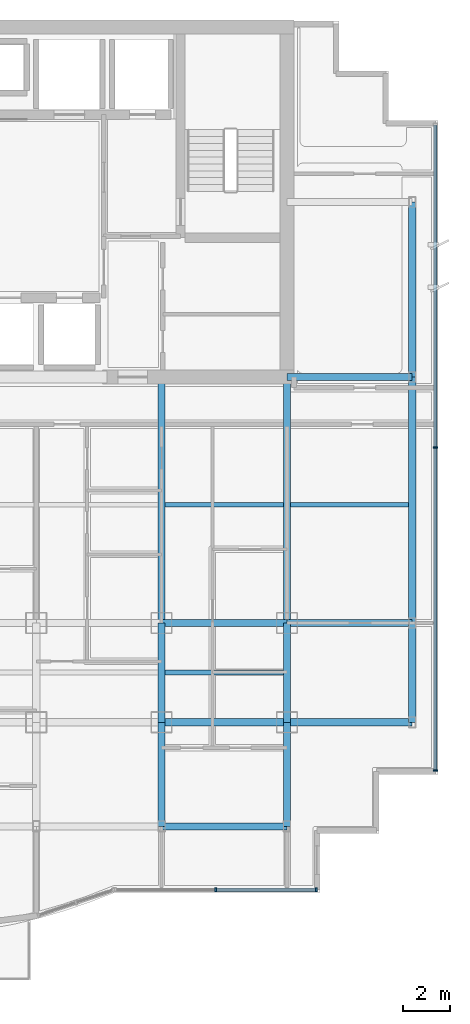
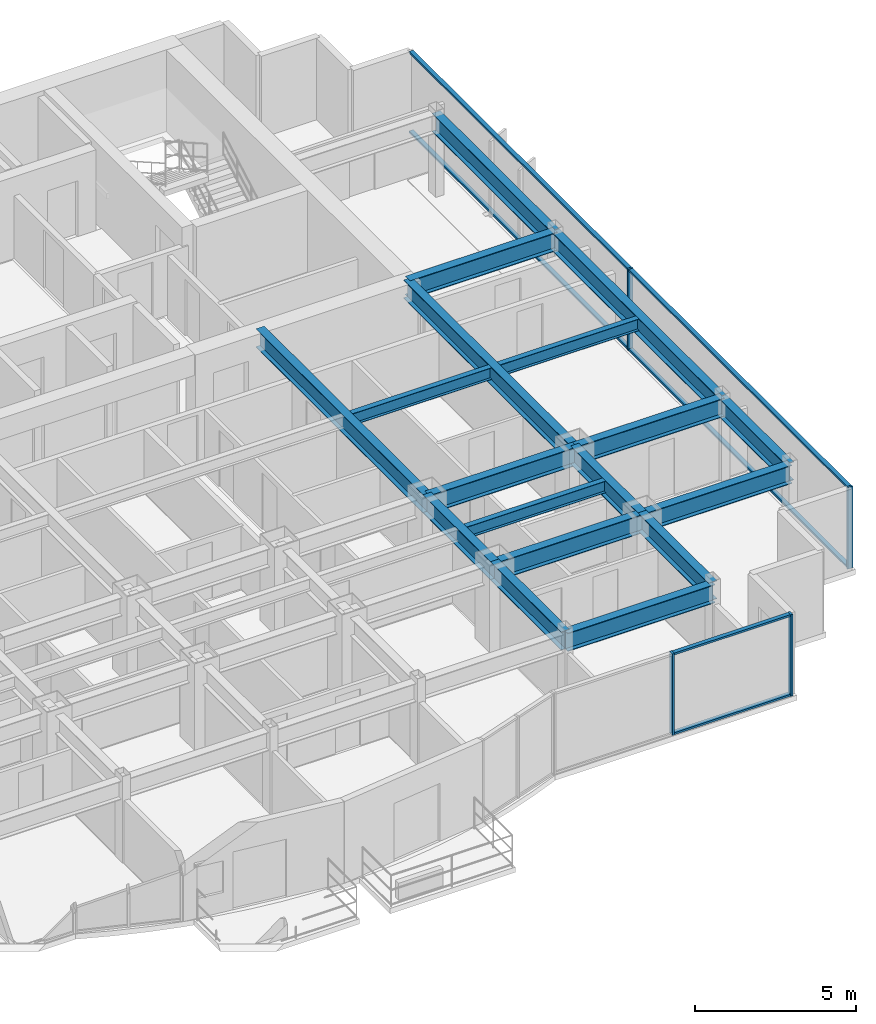
# One storey, part 4 of 13: 18 beams, 10 members, 2 elements without a shape of their own.
"""IFC4 building model written with IfcOpenShell, lengths in metres."""

from ifc_helpers import new_model, si_unit, direction, frame, origin, origin_2d, place, context, subcontext, project, spatial, rectangle, i_section, extrude, source, transform, mapped, material, layer, layer_set, material_profile, profile_set, type_object, element, aggregate, save


model = new_model("IFC4")

# Units and contexts
model_context = context("Model", 3, precision=1e-05, world=origin(), true_north=direction((0.0, 1.0)))
body_context = subcontext(model_context, "Body", "Model", "MODEL_VIEW")
ifc_project = project(units=[si_unit("LENGTHUNIT", "METRE"), si_unit("AREAUNIT", "SQUARE_METRE"), si_unit("VOLUMEUNIT", "CUBIC_METRE"), si_unit("PLANEANGLEUNIT", "RADIAN"), si_unit("MASSUNIT", "GRAM", prefix="KILO")], contexts=[model_context])

# Site, building, storey
site_placement = place(None, origin())
site = spatial("IfcSite", under=ifc_project, at=site_placement, CompositionType="ELEMENT")
building_placement = place(site_placement, origin())
building = spatial("IfcBuilding", under=site, at=building_placement, Name="Qianlan Lanfeng Residences", CompositionType="ELEMENT")
storey_placement = place(building_placement, frame((0.0, 0.0, 159.0)))
storey = spatial("IfcBuildingStorey", under=building, at=storey_placement, Name="L43", CompositionType="ELEMENT", Elevation=159.0)

# Beams
ifc_material_1 = material(Name="Steel SN490B", Category="steel")
ifc_material_profile_1 = material_profile(ifc_material_1, i_section(OverallWidth=0.300048828125, OverallDepth=0.699951171875, WebThickness=0.012939453125, FlangeThickness=0.02392578125, at=origin_2d()), Name="H 700x300x13x24")
ifc_profile_set_1 = profile_set([ifc_material_profile_1], Name="Steel SN490B")
beam_type_1 = type_object("IfcBeamType", Name="G-750", PredefinedType="BEAM", material=ifc_profile_set_1)
beam_1_placement = place(storey_placement, frame((37.10009765625, 10.60009765625, 2.75), z_axis=(1.0, 0.0, 0.0), x_axis=(0.0, 1.0, 0.0)))
element("IfcBeam", 1, at=beam_1_placement, inside=storey, type_object=beam_type_1, Name="Structural beam G-750", PredefinedType="BEAM", context=body_context, shape_type="SweptSolid", body=[
    extrude(i_section(OverallWidth=0.300048828125, OverallDepth=0.699951171875, WebThickness=0.012939453125, FlangeThickness=0.02392578125, at=origin_2d()), origin(), (0.0, 0.0, 1.0), 5.2998046875),
])
beam_2_placement = place(storey_placement, frame((42.39990234375, 10.60009765625, 2.75), z_axis=(1.0, 0.0, 0.0), x_axis=(0.0, 1.0, 0.0)))
element("IfcBeam", 2, at=beam_2_placement, inside=storey, type_object=beam_type_1, Name="Structural beam G-750", PredefinedType="BEAM", context=body_context, shape_type="SweptSolid", body=[
    extrude(i_section(OverallWidth=0.300048828125, OverallDepth=0.699951171875, WebThickness=0.012939453125, FlangeThickness=0.02392578125, at=origin_2d()), origin(), (0.0, 0.0, 1.0), 5.300048828125),
])
beam_3_placement = place(storey_placement, frame((37.10009765625, 14.800048828125, 2.75), z_axis=(1.0, 0.0, 0.0), x_axis=(0.0, 1.0, 0.0)))
element("IfcBeam", 3, at=beam_3_placement, inside=storey, type_object=beam_type_1, Name="Structural beam G-750", PredefinedType="BEAM", context=body_context, shape_type="SweptSolid", body=[
    extrude(i_section(OverallWidth=0.300048828125, OverallDepth=0.699951171875, WebThickness=0.012939453125, FlangeThickness=0.02392578125, at=origin_2d()), origin(), (0.0, 0.0, 1.0), 5.2998046875),
])
for number, where, z_axis, x_axis, name in (
    (4, (42.39990234375, 14.800048828125, 2.75), (1.0, 0.0, 0.0), (0.0, 1.0, 0.0), "Structural beam G-750"),
    (5, (42.39990234375, 25.199951171875, 2.75), (1.0, 0.0, 0.0), (0.0, 1.0, 0.0), "Structural beam G-750"),
):
    element("IfcBeam", number, at=place(storey_placement, frame(where, z_axis=z_axis, x_axis=x_axis)), inside=storey, type_object=beam_type_1, Name=name, PredefinedType="BEAM", context=body_context, shape_type="SweptSolid", body=[
        extrude(i_section(OverallWidth=0.300048828125, OverallDepth=0.699951171875, WebThickness=0.012939453125, FlangeThickness=0.02392578125, at=origin_2d()), origin(), (0.0, 0.0, 1.0), 5.300048828125),
    ])
beam_4_placement = place(storey_placement, frame((37.10009765625, 6.199951171875, 2.75), z_axis=(0.0, 1.0, 0.0), x_axis=(-1.0, 0.0, 0.0)))
element("IfcBeam", 6, at=beam_4_placement, inside=storey, type_object=beam_type_1, Name="Structural beam G-750", PredefinedType="BEAM", context=body_context, shape_type="SweptSolid", body=[
    extrude(i_section(OverallWidth=0.300048828125, OverallDepth=0.699951171875, WebThickness=0.012939453125, FlangeThickness=0.02392578125, at=origin_2d()), origin(), (0.0, 0.0, 1.0), 4.400146484375),
])
beam_5_placement = place(storey_placement, frame((37.10009765625, 10.60009765625, 2.75), z_axis=(0.0, 1.0, 0.0), x_axis=(-1.0, 0.0, 0.0)))
element("IfcBeam", 7, at=beam_5_placement, inside=storey, type_object=beam_type_1, Name="Structural beam G-750", PredefinedType="BEAM", context=body_context, shape_type="SweptSolid", body=[
    extrude(i_section(OverallWidth=0.300048828125, OverallDepth=0.699951171875, WebThickness=0.012939453125, FlangeThickness=0.02392578125, at=origin_2d()), origin(), (0.0, 0.0, 1.0), 4.199951171875),
])
beam_6_placement = place(storey_placement, frame((37.10009765625, 14.800048828125, 2.75), z_axis=(0.0, 1.0, 0.0), x_axis=(-1.0, 0.0, 0.0)))
element("IfcBeam", 8, at=beam_6_placement, inside=storey, type_object=beam_type_1, Name="Structural beam G-750", PredefinedType="BEAM", context=body_context, shape_type="SweptSolid", body=[
    extrude(i_section(OverallWidth=0.300048828125, OverallDepth=0.699951171875, WebThickness=0.012939453125, FlangeThickness=0.02392578125, at=origin_2d()), origin(), (0.0, 0.0, 1.0), 10.39990234375),
])
beam_7_placement = place(storey_placement, frame((42.39990234375, 6.199951171875, 2.75), z_axis=(0.0, 1.0, 0.0), x_axis=(-1.0, 0.0, 0.0)))
element("IfcBeam", 9, at=beam_7_placement, inside=storey, type_object=beam_type_1, Name="Structural beam G-750", PredefinedType="BEAM", context=body_context, shape_type="SweptSolid", body=[
    extrude(i_section(OverallWidth=0.300048828125, OverallDepth=0.699951171875, WebThickness=0.012939453125, FlangeThickness=0.02392578125, at=origin_2d()), origin(), (0.0, 0.0, 1.0), 4.400146484375),
])
beam_8_placement = place(storey_placement, frame((42.39990234375, 10.60009765625, 2.75), z_axis=(0.0, 1.0, 0.0), x_axis=(-1.0, 0.0, 0.0)))
element("IfcBeam", 10, at=beam_8_placement, inside=storey, type_object=beam_type_1, Name="Structural beam G-750", PredefinedType="BEAM", context=body_context, shape_type="SweptSolid", body=[
    extrude(i_section(OverallWidth=0.300048828125, OverallDepth=0.699951171875, WebThickness=0.012939453125, FlangeThickness=0.02392578125, at=origin_2d()), origin(), (0.0, 0.0, 1.0), 4.199951171875),
])
beam_9_placement = place(storey_placement, frame((42.39990234375, 14.800048828125, 2.75), z_axis=(0.0, 1.0, 0.0), x_axis=(-1.0, 0.0, 0.0)))
element("IfcBeam", 11, at=beam_9_placement, inside=storey, type_object=beam_type_1, Name="Structural beam G-750", PredefinedType="BEAM", context=body_context, shape_type="SweptSolid", body=[
    extrude(i_section(OverallWidth=0.300048828125, OverallDepth=0.699951171875, WebThickness=0.012939453125, FlangeThickness=0.02392578125, at=origin_2d()), origin(), (0.0, 0.0, 1.0), 10.39990234375),
])
ifc_material_profile_2 = material_profile(ifc_material_1, i_section(OverallWidth=0.199951171875, OverallDepth=0.449951171875, WebThickness=0.009033203125, FlangeThickness=0.013916015625, at=origin_2d()), Name="H 450x200x9x14")
ifc_profile_set_2 = profile_set([ifc_material_profile_2], Name="Steel SN490B")
beam_type_2 = type_object("IfcBeamType", Name="J-450", PredefinedType="JOIST", material=ifc_profile_set_2)
for number, where, z_axis, x_axis, name in (
    (12, (37.25, 12.699951171875, 2.875), (1.0, 0.0, 0.0), (0.0, 1.0, 0.0), "Structural beam J-450"),
    (13, (37.25, 19.800048828125, 2.875), (1.0, 0.0, 0.0), (0.0, 1.0, 0.0), "Structural beam J-450"),
    (14, (42.550048828125, 19.800048828125, 2.875), (1.0, 0.0, 0.0), (0.0, 1.0, 0.0), "Structural beam J-450"),
):
    element("IfcBeam", number, at=place(storey_placement, frame(where, z_axis=z_axis, x_axis=x_axis)), inside=storey, type_object=beam_type_2, Name=name, PredefinedType="JOIST", context=body_context, shape_type="SweptSolid", body=[
        extrude(i_section(OverallWidth=0.199951171875, OverallDepth=0.449951171875, WebThickness=0.009033203125, FlangeThickness=0.013916015625, at=origin_2d()), origin(), (0.0, 0.0, 1.0), 5.0),
    ])
ifc_material_profile_3 = material_profile(ifc_material_1, i_section(OverallWidth=0.300048828125, OverallDepth=0.699951171875, WebThickness=0.012939453125, FlangeThickness=0.02392578125, at=origin_2d()), Name="H 700x300x13x24")
ifc_profile_set_3 = profile_set([ifc_material_profile_3], Name="Steel SN490B")
beam_type_3 = type_object("IfcBeamType", Name="SG-750", PredefinedType="SPANDREL", material=ifc_profile_set_3)
beam_10_placement = place(storey_placement, frame((37.10009765625, 6.199951171875, 2.739990234375), z_axis=(1.0, 0.0, 0.0), x_axis=(0.0, 1.0, 0.0)))
element("IfcBeam", 15, at=beam_10_placement, inside=storey, type_object=beam_type_3, Name="Structural beam SG-750", PredefinedType="SPANDREL", context=body_context, shape_type="SweptSolid", body=[
    extrude(i_section(OverallWidth=0.300048828125, OverallDepth=0.699951171875, WebThickness=0.012939453125, FlangeThickness=0.02392578125, at=origin_2d()), origin(), (0.0, 0.0, 1.0), 5.2998046875),
])
beam_11_placement = place(storey_placement, frame((47.699951171875, 10.60009765625, 2.739990234375), z_axis=(0.0, 1.0, 0.0), x_axis=(-1.0, 0.0, 0.0)))
element("IfcBeam", 16, at=beam_11_placement, inside=storey, type_object=beam_type_3, Name="Structural beam SG-750", PredefinedType="SPANDREL", context=body_context, shape_type="SweptSolid", body=[
    extrude(i_section(OverallWidth=0.300048828125, OverallDepth=0.699951171875, WebThickness=0.012939453125, FlangeThickness=0.02392578125, at=origin_2d()), origin(), (0.0, 0.0, 1.0), 4.199951171875),
])
beam_12_placement = place(storey_placement, frame((47.699951171875, 14.800048828125, 2.739990234375), z_axis=(0.0, 1.0, 0.0), x_axis=(-1.0, 0.0, 0.0)))
element("IfcBeam", 17, at=beam_12_placement, inside=storey, type_object=beam_type_3, Name="Structural beam SG-750", PredefinedType="SPANDREL", context=body_context, shape_type="SweptSolid", body=[
    extrude(i_section(OverallWidth=0.300048828125, OverallDepth=0.699951171875, WebThickness=0.012939453125, FlangeThickness=0.02392578125, at=origin_2d()), origin(), (0.0, 0.0, 1.0), 10.39990234375),
])
beam_13_placement = place(storey_placement, frame((47.699951171875, 25.199951171875, 2.739990234375), z_axis=(0.0, 1.0, 0.0), x_axis=(-1.0, 0.0, 0.0)))
element("IfcBeam", 18, at=beam_13_placement, inside=storey, type_object=beam_type_3, Name="Structural beam SG-750", PredefinedType="SPANDREL", context=body_context, shape_type="SweptSolid", body=[
    extrude(i_section(OverallWidth=0.300048828125, OverallDepth=0.699951171875, WebThickness=0.012939453125, FlangeThickness=0.02392578125, at=origin_2d()), origin(), (0.0, 0.0, 1.0), 7.400146484375),
])

# Curtain wall, members
ifc_material_2 = material(Name="Anodised Bronze Aluminium 6063-T6", Category="aluminium")
ifc_layer = layer(ifc_material_2, 0.219970703125)
ifc_layer_set = layer_set([ifc_layer], Name="Anodised Bronze Aluminium 6063-T6")
curtain_wall_type = type_object("IfcCurtainWallType", Name="CW-04", PredefinedType="NOTDEFINED", material=ifc_layer_set)
curtain_wall_1_placement = place(storey_placement, origin())
curtain_wall_1 = element("IfcCurtainWall", 19, at=curtain_wall_1_placement, inside=storey, type_object=curtain_wall_type, Name="L43 Unitised Curtain Wall CWR-L43-04 (CW-04)", PredefinedType="NOTDEFINED")
ifc_material_profile_4 = material_profile(ifc_material_2, rectangle(XDim=0.074951171875, YDim=0.14990234375, at=origin_2d()), Name="ALU TRANSOM 75x150")
ifc_profile_set_4 = profile_set([ifc_material_profile_4], Name="Anodised Bronze Aluminium 6063-T6")
member_type_1 = type_object("IfcMemberType", Name="CWT-150", PredefinedType="USERDEFINED", material=ifc_profile_set_4)
shared_shape_1 = source(origin(), body_context, "Body", "SweptSolid", [
    extrude(rectangle(XDim=0.074951171875, YDim=0.14990234375, at=origin_2d()), origin(), (0.0, 0.0, 1.0), 4.178955078125),
])
member_1_placement = place(storey_placement, frame((39.426025390625, 3.52001953125, 0.03759765625), z_axis=(1.0, 0.0, 0.0), x_axis=(0.0, 0.0, 1.0)))
member_1 = element("IfcMember", 20, at=member_1_placement, type_object=member_type_1, Name="CWR-L43-04 Transom 2-BOT", ObjectType="TRANSOM", PredefinedType="USERDEFINED", context=body_context, shape_type="MappedRepresentation", body=[
    mapped(shared_shape_1, transform((0.0, 0.0, 0.0), scale=1.0)),
])
member_2_placement = place(storey_placement, frame((39.426025390625, 3.52001953125, 3.0625), z_axis=(1.0, 0.0, 0.0), x_axis=(0.0, 0.0, 1.0)))
member_2 = element("IfcMember", 21, at=member_2_placement, type_object=member_type_1, Name="CWR-L43-04 Transom 2-TOP", ObjectType="TRANSOM", PredefinedType="USERDEFINED", context=body_context, shape_type="MappedRepresentation", body=[
    mapped(shared_shape_1, transform((0.0, 0.0, 0.0), scale=1.0)),
])
ifc_material_profile_5 = material_profile(ifc_material_2, rectangle(XDim=0.074951171875, YDim=0.179931640625, at=origin_2d()), Name="ALU MULLION 75x180")
ifc_profile_set_5 = profile_set([ifc_material_profile_5], Name="Anodised Bronze Aluminium 6063-T6")
member_type_2 = type_object("IfcMemberType", Name="CWM-180", PredefinedType="MULLION", material=ifc_profile_set_5)
shared_shape_2 = source(origin(), body_context, "Body", "SweptSolid", [
    extrude(rectangle(XDim=0.074951171875, YDim=0.179931640625, at=origin_2d()), origin(), (0.0, 0.0, 1.0), 3.10009765625),
])
member_3_placement = place(storey_placement, frame((39.388427734375, 3.52001953125, 0.0), z_axis=(0.0, 0.0, 1.0), x_axis=(1.0, 0.0, 0.0)))
member_3 = element("IfcMember", 22, at=member_3_placement, type_object=member_type_2, Name="CWR-L43-04 Mullion 2", PredefinedType="MULLION", context=body_context, shape_type="MappedRepresentation", body=[
    mapped(shared_shape_2, transform((0.0, 0.0, 0.0), scale=1.0)),
])
member_4_placement = place(storey_placement, frame((43.642578125, 3.52001953125, 0.0), z_axis=(0.0, 0.0, 1.0), x_axis=(1.0, 0.0, 0.0)))
member_4 = element("IfcMember", 23, at=member_4_placement, type_object=member_type_2, Name="CWR-L43-04 Mullion 3", PredefinedType="MULLION", context=body_context, shape_type="MappedRepresentation", body=[
    mapped(shared_shape_2, transform((0.0, 0.0, 0.0), scale=1.0)),
])
aggregate(curtain_wall_1, [member_3, member_4, member_1, member_2])

curtain_wall_2_placement = place(storey_placement, origin())
curtain_wall_2 = element("IfcCurtainWall", 24, at=curtain_wall_2_placement, inside=storey, type_object=curtain_wall_type, Name="L43 Unitised Curtain Wall CWR-L43-05 (CW-04)", PredefinedType="NOTDEFINED")
member_5_placement = place(storey_placement, frame((48.679931640625, 8.5576171875, 0.0), z_axis=(0.0, 0.0, 1.0), x_axis=(0.0, 1.0, 0.0)))
member_5 = element("IfcMember", 25, at=member_5_placement, type_object=member_type_2, Name="CWR-L43-05 Mullion 1", PredefinedType="MULLION", context=body_context, shape_type="MappedRepresentation", body=[
    mapped(shared_shape_2, transform((0.0, 0.0, 0.0), scale=1.0)),
])
member_6_placement = place(storey_placement, frame((48.679931640625, 22.22509765625, 0.0), z_axis=(0.0, 0.0, 1.0), x_axis=(0.0, 1.0, 0.0)))
member_6 = element("IfcMember", 26, at=member_6_placement, type_object=member_type_2, Name="CWR-L43-05 Mullion 2", PredefinedType="MULLION", context=body_context, shape_type="MappedRepresentation", body=[
    mapped(shared_shape_2, transform((0.0, 0.0, 0.0), scale=1.0)),
])
shared_shape_3 = source(origin(), body_context, "Body", "SweptSolid", [
    extrude(rectangle(XDim=0.074951171875, YDim=0.14990234375, at=origin_2d()), origin(), (0.0, 0.0, 1.0), 13.592529296875),
])
member_7_placement = place(storey_placement, frame((48.679931640625, 8.594970703125, 0.03759765625), z_axis=(0.0, 1.0, 0.0), x_axis=(0.0, 0.0, 1.0)))
member_7 = element("IfcMember", 27, at=member_7_placement, type_object=member_type_1, Name="CWR-L43-05 Transom 1-BOT", ObjectType="TRANSOM", PredefinedType="USERDEFINED", context=body_context, shape_type="MappedRepresentation", body=[
    mapped(shared_shape_3, transform((0.0, 0.0, 0.0), scale=1.0)),
])
member_8_placement = place(storey_placement, frame((48.679931640625, 8.594970703125, 3.0625), z_axis=(0.0, 1.0, 0.0), x_axis=(0.0, 0.0, 1.0)))
member_8 = element("IfcMember", 28, at=member_8_placement, type_object=member_type_1, Name="CWR-L43-05 Transom 1-TOP", ObjectType="TRANSOM", PredefinedType="USERDEFINED", context=body_context, shape_type="MappedRepresentation", body=[
    mapped(shared_shape_3, transform((0.0, 0.0, 0.0), scale=1.0)),
])
member_9_placement = place(storey_placement, frame((48.679931640625, 22.262451171875, 0.03759765625), z_axis=(0.0, 1.0, 0.0), x_axis=(0.0, 0.0, 1.0)))
member_9 = element("IfcMember", 29, at=member_9_placement, type_object=member_type_1, Name="CWR-L43-05 Transom 2-BOT", ObjectType="TRANSOM", PredefinedType="USERDEFINED", context=body_context, shape_type="MappedRepresentation", body=[
    mapped(shared_shape_3, transform((0.0, 0.0, 0.0), scale=1.0)),
])
member_10_placement = place(storey_placement, frame((48.679931640625, 22.262451171875, 3.0625), z_axis=(0.0, 1.0, 0.0), x_axis=(0.0, 0.0, 1.0)))
member_10 = element("IfcMember", 30, at=member_10_placement, type_object=member_type_1, Name="CWR-L43-05 Transom 2-TOP", ObjectType="TRANSOM", PredefinedType="USERDEFINED", context=body_context, shape_type="MappedRepresentation", body=[
    mapped(shared_shape_3, transform((0.0, 0.0, 0.0), scale=1.0)),
])
aggregate(curtain_wall_2, [member_5, member_6, member_7, member_8, member_9, member_10])

save(model, "model.ifc")
